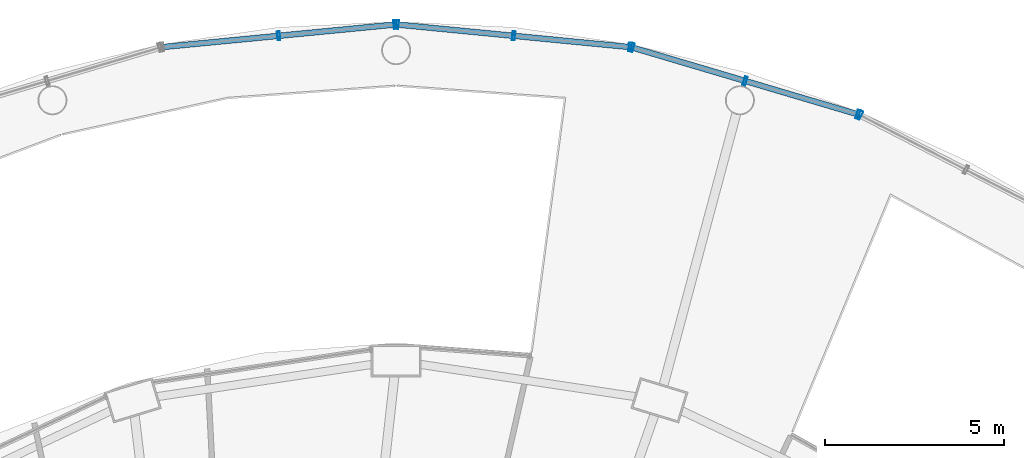
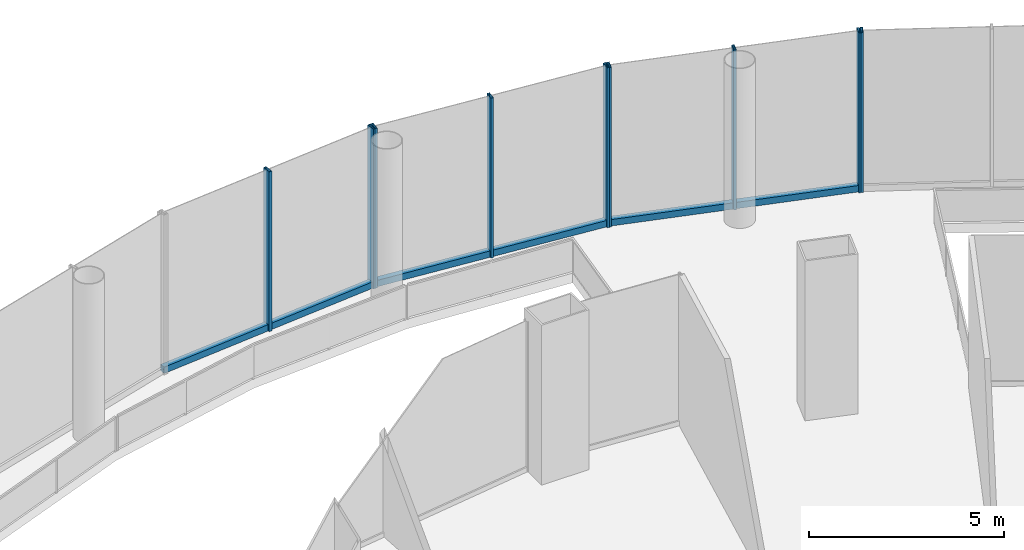
# One storey, part 37 of 47: 12 members, 4 elements without a shape of their own.
"""IFC4 building model written with IfcOpenShell, lengths in metres."""

from ifc_helpers import new_model, si_unit, direction, frame, origin, origin_2d, place, context, subcontext, project, spatial, hollow_rectangle, extrude, material, layer, layer_set, material_profile, profile_set, type_object, element, aggregate, save


model = new_model("IFC4")

# Units and contexts
model_context = context("Model", 3, precision=1e-05, world=origin(), true_north=direction((0.0, 1.0)))
body_context = subcontext(model_context, "Body", "Model", "MODEL_VIEW")
ifc_project = project(units=[si_unit("LENGTHUNIT", "METRE"), si_unit("AREAUNIT", "SQUARE_METRE"), si_unit("VOLUMEUNIT", "CUBIC_METRE"), si_unit("PLANEANGLEUNIT", "RADIAN"), si_unit("MASSUNIT", "GRAM", prefix="KILO")], contexts=[model_context])

# Site, building, storey
site_placement = place(None, origin())
site = spatial("IfcSite", under=ifc_project, at=site_placement, CompositionType="ELEMENT")
building_placement = place(site_placement, origin())
building = spatial("IfcBuilding", under=site, at=building_placement, Name="Nagisa Residences", CompositionType="ELEMENT")
storey_placement = place(building_placement, frame((0.0, 0.0, 7.0)))
storey = spatial("IfcBuildingStorey", under=building, at=storey_placement, Name="L01", CompositionType="ELEMENT", Elevation=7.0)

# Curtain wall, member
ifc_material_1 = material(Name="Stainless steel curtain wall system", Category="steel")
ifc_layer = layer(ifc_material_1, 0.159912109375)
ifc_layer_set = layer_set([ifc_layer], Name="CW3 CURTAIN WALL")
curtain_wall_type = type_object("IfcCurtainWallType", Name="CW3 CURTAIN WALL", PredefinedType="NOTDEFINED", material=ifc_layer_set)
curtain_wall_1_placement = place(storey_placement, origin())
curtain_wall_1 = element("IfcCurtainWall", 1, at=curtain_wall_1_placement, inside=storey, type_object=curtain_wall_type, Name="cw:CW3:L01:06", PredefinedType="NOTDEFINED")
ifc_material_2 = material(Name="Stainless steel", Category="steel")
ifc_material_profile_1 = material_profile(ifc_material_2, hollow_rectangle(XDim=0.25, YDim=0.080078125, WallThickness=0.008056640625, at=origin_2d()), Name="CW3 MULLION 250x80")
ifc_profile_set_1 = profile_set([ifc_material_profile_1], Name="Stainless steel")
member_type_1 = type_object("IfcMemberType", Name="CW3 MULLION 250x80", PredefinedType="MULLION", material=ifc_profile_set_1)
member_1_placement = place(storey_placement, frame((16.595703125, 39.377685546875, 0.0), z_axis=(0.0, 0.0, 1.0), x_axis=(-0.45812598783, -0.888887270285, 0.0)))
member_1 = element("IfcMember", 2, at=member_1_placement, type_object=member_type_1, Name="CW3 mullion", PredefinedType="MULLION", context=body_context, shape_type="SweptSolid", body=[
    extrude(hollow_rectangle(XDim=0.25, YDim=0.080078125, WallThickness=0.008056640625, at=origin_2d()), origin(), (0.0, 0.0, 1.0), 5.0),
])
aggregate(curtain_wall_1, [member_1])

# Curtain wall, members
curtain_wall_2_placement = place(storey_placement, origin())
curtain_wall_2 = element("IfcCurtainWall", 3, at=curtain_wall_2_placement, inside=storey, type_object=curtain_wall_type, Name="cw:CW3:L01:07", PredefinedType="NOTDEFINED")
member_2_placement = place(storey_placement, frame((16.53564453125, 39.40185546875, 0.0), z_axis=(0.0, 0.0, 1.0), x_axis=(-0.283963226669, -0.958835171393, 0.0)))
member_2 = element("IfcMember", 4, at=member_2_placement, type_object=member_type_1, Name="CW3 mullion", PredefinedType="MULLION", context=body_context, shape_type="SweptSolid", body=[
    extrude(hollow_rectangle(XDim=0.25, YDim=0.080078125, WallThickness=0.008056640625, at=origin_2d()), origin(), (0.0, 0.0, 1.0), 5.0),
])
member_3_placement = place(storey_placement, frame((13.375, 40.337890625, 0.0), z_axis=(0.0, 0.0, 1.0), x_axis=(-0.283963226669, -0.958835171393, 0.0)))
member_3 = element("IfcMember", 5, at=member_3_placement, type_object=member_type_1, Name="CW3 mullion", PredefinedType="MULLION", context=body_context, shape_type="SweptSolid", body=[
    extrude(hollow_rectangle(XDim=0.25, YDim=0.080078125, WallThickness=0.008056640625, at=origin_2d()), origin(), (0.0, 0.0, 1.0), 5.0),
])
member_4_placement = place(storey_placement, frame((10.21435546875, 41.27392578125, 0.0), z_axis=(0.0, 0.0, 1.0), x_axis=(-0.283963226669, -0.958835171393, 0.0)))
member_4 = element("IfcMember", 6, at=member_4_placement, type_object=member_type_1, Name="CW3 mullion", PredefinedType="MULLION", context=body_context, shape_type="SweptSolid", body=[
    extrude(hollow_rectangle(XDim=0.25, YDim=0.080078125, WallThickness=0.008056640625, at=origin_2d()), origin(), (0.0, 0.0, 1.0), 5.0),
])

curtain_wall_3_placement = place(storey_placement, origin())
curtain_wall_3 = element("IfcCurtainWall", 7, at=curtain_wall_3_placement, inside=storey, type_object=curtain_wall_type, Name="cw:CW3:L01:08", PredefinedType="NOTDEFINED")
member_5_placement = place(storey_placement, frame((10.151123046875, 41.2861328125, 0.0), z_axis=(0.0, 0.0, 1.0), x_axis=(-0.096249055035, -0.995357282289, 0.0)))
member_5 = element("IfcMember", 8, at=member_5_placement, type_object=member_type_1, Name="CW3 mullion", PredefinedType="MULLION", context=body_context, shape_type="SweptSolid", body=[
    extrude(hollow_rectangle(XDim=0.25, YDim=0.080078125, WallThickness=0.008056640625, at=origin_2d()), origin(), (0.0, 0.0, 1.0), 5.0),
])
member_6_placement = place(storey_placement, frame((6.8916015625, 41.601318359375, 0.0), z_axis=(0.0, 0.0, 1.0), x_axis=(-0.096249055035, -0.995357282289, 0.0)))
member_6 = element("IfcMember", 9, at=member_6_placement, type_object=member_type_1, Name="CW3 mullion", PredefinedType="MULLION", context=body_context, shape_type="SweptSolid", body=[
    extrude(hollow_rectangle(XDim=0.25, YDim=0.080078125, WallThickness=0.008056640625, at=origin_2d()), origin(), (0.0, 0.0, 1.0), 5.0),
])
member_7_placement = place(storey_placement, frame((3.632080078125, 41.91650390625, 0.0), z_axis=(0.0, 0.0, 1.0), x_axis=(-0.096249055035, -0.995357282289, 0.0)))
member_7 = element("IfcMember", 10, at=member_7_placement, type_object=member_type_1, Name="CW3 mullion", PredefinedType="MULLION", context=body_context, shape_type="SweptSolid", body=[
    extrude(hollow_rectangle(XDim=0.25, YDim=0.080078125, WallThickness=0.008056640625, at=origin_2d()), origin(), (0.0, 0.0, 1.0), 5.0),
])

curtain_wall_4_placement = place(storey_placement, origin())
curtain_wall_4 = element("IfcCurtainWall", 11, at=curtain_wall_4_placement, inside=storey, type_object=curtain_wall_type, Name="cw:CW3:L01:09", PredefinedType="NOTDEFINED")
member_8_placement = place(storey_placement, frame((3.56787109375, 41.91650390625, 0.0), z_axis=(0.0, 0.0, 1.0), x_axis=(0.096249055035, -0.995357282289, 0.0)))
member_8 = element("IfcMember", 12, at=member_8_placement, type_object=member_type_1, Name="CW3 mullion", PredefinedType="MULLION", context=body_context, shape_type="SweptSolid", body=[
    extrude(hollow_rectangle(XDim=0.25, YDim=0.080078125, WallThickness=0.008056640625, at=origin_2d()), origin(), (0.0, 0.0, 1.0), 5.0),
])
member_9_placement = place(storey_placement, frame((0.308349609375, 41.601318359375, 0.0), z_axis=(0.0, 0.0, 1.0), x_axis=(0.096249055035, -0.995357282289, 0.0)))
member_9 = element("IfcMember", 13, at=member_9_placement, type_object=member_type_1, Name="CW3 mullion", PredefinedType="MULLION", context=body_context, shape_type="SweptSolid", body=[
    extrude(hollow_rectangle(XDim=0.25, YDim=0.080078125, WallThickness=0.008056640625, at=origin_2d()), origin(), (0.0, 0.0, 1.0), 5.0),
])

# Member
ifc_material_3 = material(Name="Stainless steel", Category="steel")
ifc_material_profile_2 = material_profile(ifc_material_3, hollow_rectangle(XDim=0.159912109375, YDim=0.199951171875, WallThickness=0.008056640625, at=origin_2d()), Name="CW3 TRANSOM 160x200")
ifc_profile_set_2 = profile_set([ifc_material_profile_2], Name="Stainless steel")
member_type_2 = type_object("IfcMemberType", Name="CW3 TRANSOM 160x200", PredefinedType="USERDEFINED", material=ifc_profile_set_2)
member_10_placement = place(storey_placement, frame((16.573974609375, 39.390380859375, 0.10009765625), z_axis=(-0.958835384932, 0.283962505627, 0.0), x_axis=(-0.283962505627, -0.958835384932, 0.0)))
member_10 = element("IfcMember", 14, at=member_10_placement, type_object=member_type_2, Name="CW3 transom", ObjectType="TRANSOM", PredefinedType="USERDEFINED", context=body_context, shape_type="SweptSolid", body=[
    extrude(hollow_rectangle(XDim=0.159912109375, YDim=0.199951171875, WallThickness=0.008056640625, at=origin_2d()), origin(), (0.0, 0.0, 1.0), 6.672607421875),
])

aggregate(curtain_wall_2, [member_2, member_3, member_4, member_10])

member_11_placement = place(storey_placement, frame((10.19091796875, 41.2822265625, 0.10009765625), z_axis=(-0.995355706687, 0.096265347687, 0.0), x_axis=(-0.096265347687, -0.995355706687, 0.0)))
member_11 = element("IfcMember", 15, at=member_11_placement, type_object=member_type_2, Name="CW3 transom", ObjectType="TRANSOM", PredefinedType="USERDEFINED", context=body_context, shape_type="SweptSolid", body=[
    extrude(hollow_rectangle(XDim=0.159912109375, YDim=0.199951171875, WallThickness=0.008056640625, at=origin_2d()), origin(), (0.0, 0.0, 1.0), 6.62939453125),
])

aggregate(curtain_wall_3, [member_5, member_6, member_7, member_11])

member_12_placement = place(storey_placement, frame((3.607666015625, 41.92041015625, 0.10009765625), z_axis=(-0.995355706687, -0.096265347687, 0.0), x_axis=(0.096265347687, -0.995355706687, 0.0)))
member_12 = element("IfcMember", 16, at=member_12_placement, type_object=member_type_2, Name="CW3 transom", ObjectType="TRANSOM", PredefinedType="USERDEFINED", context=body_context, shape_type="SweptSolid", body=[
    extrude(hollow_rectangle(XDim=0.159912109375, YDim=0.199951171875, WallThickness=0.008056640625, at=origin_2d()), origin(), (0.0, 0.0, 1.0), 6.62939453125),
])

aggregate(curtain_wall_4, [member_8, member_9, member_12])

save(model, "model.ifc")
